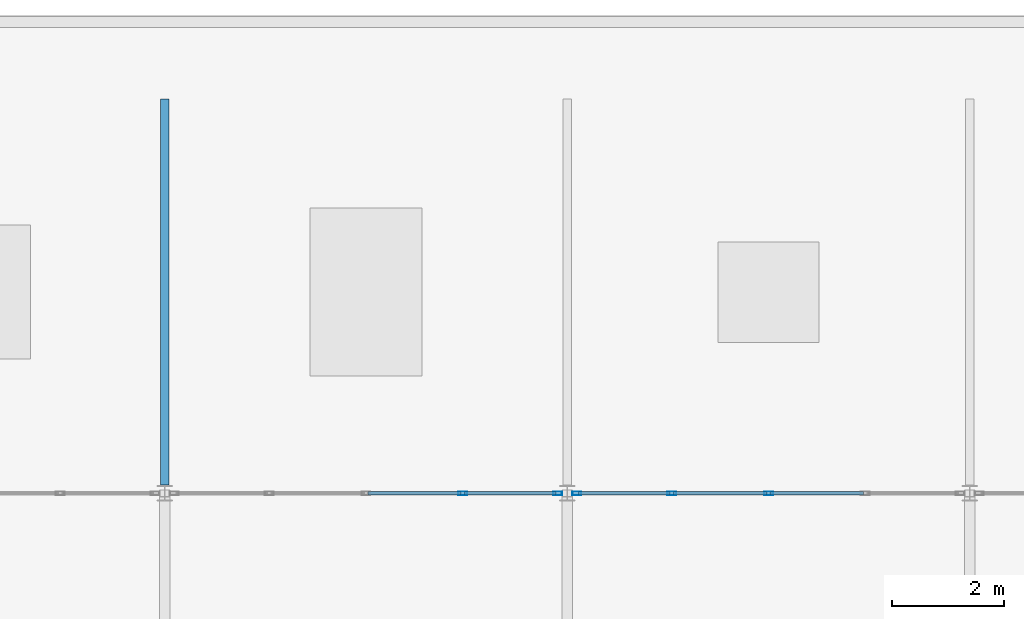
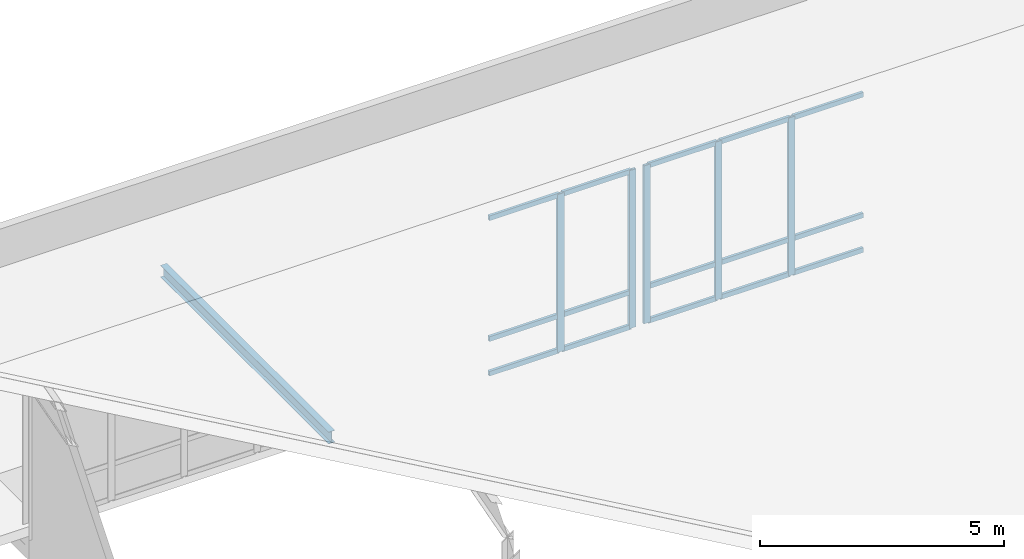
# One storey, part 83 of 157: 20 members, 1 beam, 2 elements without a shape of their own.
"""IFC4 building model written with IfcOpenShell, lengths in metres."""

from ifc_helpers import new_model, si_unit, direction, frame, origin, origin_2d, place, context, subcontext, project, spatial, hollow_rectangle, i_section, extrude, material, material_profile, profile_set, type_object, element, aggregate, save


model = new_model("IFC4")

# Units and contexts
model_context = context("Model", 3, precision=1e-05, world=origin(), true_north=direction((0.0, 1.0)))
body_context = subcontext(model_context, "Body", "Model", "MODEL_VIEW")
ifc_project = project(units=[si_unit("LENGTHUNIT", "METRE"), si_unit("AREAUNIT", "SQUARE_METRE"), si_unit("VOLUMEUNIT", "CUBIC_METRE"), si_unit("PLANEANGLEUNIT", "RADIAN"), si_unit("MASSUNIT", "GRAM", prefix="KILO")], contexts=[model_context])

# Site, building, storey
site_placement = place(None, origin())
site = spatial("IfcSite", under=ifc_project, at=site_placement, CompositionType="ELEMENT")
building_placement = place(site_placement, origin())
building = spatial("IfcBuilding", under=site, at=building_placement, Name="Suanplinth Sawtooth Commons", CompositionType="ELEMENT")
storey_placement = place(building_placement, frame((0.0, 0.0, 9.0)))
storey = spatial("IfcBuildingStorey", under=building, at=storey_placement, Name="L02", CompositionType="ELEMENT", Elevation=9.0)

# Beam
ifc_material_1 = material(Name="Steel S355JR", Category="steel")
ifc_material_profile_1 = material_profile(ifc_material_1, i_section(OverallWidth=0.14990234375, OverallDepth=0.300048828125, WebThickness=0.007080078125, FlangeThickness=0.0107421875, at=origin_2d()), Name="IPE 300")
ifc_profile_set_1 = profile_set([ifc_material_profile_1], Name="Steel S355JR")
beam_type = type_object("IfcBeamType", Name="B-13", PredefinedType="BEAM", material=ifc_profile_set_1)
beam_placement = place(storey_placement, frame((136.800048828125, 64.949951171875, -0.14990234375), z_axis=(0.0, 1.0, 0.0), x_axis=(-1.0, 0.0, 0.0)))
element("IfcBeam", 1, at=beam_placement, inside=storey, type_object=beam_type, Name="BMY-L02-NURS-FLAT-19", PredefinedType="BEAM", context=body_context, shape_type="SweptSolid", body=[
    extrude(i_section(OverallWidth=0.14990234375, OverallDepth=0.300048828125, WebThickness=0.007080078125, FlangeThickness=0.0107421875, at=origin_2d()), origin(), (0.0, 0.0, 1.0), 6.900146484375),
])

# Curtain wall, members
ifc_material_2 = material(Name="Anodized aluminium and low-E glazing", Category="aluminium")
curtain_wall_type = type_object("IfcCurtainWallType", Name="CW-03", PredefinedType="USERDEFINED", material=ifc_material_2)
curtain_wall_1_placement = place(storey_placement, origin())
curtain_wall_1 = element("IfcCurtainWall", 2, at=curtain_wall_1_placement, inside=storey, type_object=curtain_wall_type, Name="Curtain Wall CW-NURS-CLER-19", ObjectType="CURTAIN WALL", PredefinedType="USERDEFINED")
ifc_material_3 = material(Name="Anodized aluminium 6063-T6", Category="aluminium")
ifc_material_profile_2 = material_profile(ifc_material_3, hollow_rectangle(XDim=0.06494140625, YDim=0.159912109375, WallThickness=0.00390625, at=origin_2d()), Name="ALU-MUL 65x160")
ifc_profile_set_2 = profile_set([ifc_material_profile_2], Name="Anodized aluminium 6063-T6")
member_type_1 = type_object("IfcMemberType", Name="M-13", PredefinedType="MULLION", material=ifc_profile_set_2)
member_1_placement = place(storey_placement, frame((142.1298828125, 64.800048828125, 0.239990234375), z_axis=(0.0, 0.0, 1.0), x_axis=(0.0, 1.0, 0.0)))
member_1 = element("IfcMember", 3, at=member_1_placement, type_object=member_type_1, Name="CW-03 mullion 4", PredefinedType="MULLION", context=body_context, shape_type="SweptSolid", body=[
    extrude(hollow_rectangle(XDim=0.06494140625, YDim=0.159912109375, WallThickness=0.00390625, at=origin_2d()), origin(), (0.0, 0.0, 1.0), 3.9599609375),
])
member_2_placement = place(storey_placement, frame((143.827392578125, 64.800048828125, 0.239990234375), z_axis=(0.0, 0.0, 1.0), x_axis=(0.0, 1.0, 0.0)))
member_2 = element("IfcMember", 4, at=member_2_placement, type_object=member_type_1, Name="CW-03 mullion 5", PredefinedType="MULLION", context=body_context, shape_type="SweptSolid", body=[
    extrude(hollow_rectangle(XDim=0.06494140625, YDim=0.159912109375, WallThickness=0.00390625, at=origin_2d()), origin(), (0.0, 0.0, 1.0), 3.9599609375),
])

curtain_wall_2_placement = place(storey_placement, origin())
curtain_wall_2 = element("IfcCurtainWall", 5, at=curtain_wall_2_placement, inside=storey, type_object=curtain_wall_type, Name="Curtain Wall CW-NURS-CLER-20", ObjectType="CURTAIN WALL", PredefinedType="USERDEFINED")
member_3_placement = place(storey_placement, frame((144.172607421875, 64.800048828125, 0.239990234375), z_axis=(0.0, 0.0, 1.0), x_axis=(0.0, 1.0, 0.0)))
member_3 = element("IfcMember", 6, at=member_3_placement, type_object=member_type_1, Name="CW-03 mullion 1", PredefinedType="MULLION", context=body_context, shape_type="SweptSolid", body=[
    extrude(hollow_rectangle(XDim=0.06494140625, YDim=0.159912109375, WallThickness=0.00390625, at=origin_2d()), origin(), (0.0, 0.0, 1.0), 3.9599609375),
])
member_4_placement = place(storey_placement, frame((145.8701171875, 64.800048828125, 0.239990234375), z_axis=(0.0, 0.0, 1.0), x_axis=(0.0, 1.0, 0.0)))
member_4 = element("IfcMember", 7, at=member_4_placement, type_object=member_type_1, Name="CW-03 mullion 2", PredefinedType="MULLION", context=body_context, shape_type="SweptSolid", body=[
    extrude(hollow_rectangle(XDim=0.06494140625, YDim=0.159912109375, WallThickness=0.00390625, at=origin_2d()), origin(), (0.0, 0.0, 1.0), 3.9599609375),
])
member_5_placement = place(storey_placement, frame((147.60009765625, 64.800048828125, 0.239990234375), z_axis=(0.0, 0.0, 1.0), x_axis=(0.0, 1.0, 0.0)))
member_5 = element("IfcMember", 8, at=member_5_placement, type_object=member_type_1, Name="CW-03 mullion 3", PredefinedType="MULLION", context=body_context, shape_type="SweptSolid", body=[
    extrude(hollow_rectangle(XDim=0.06494140625, YDim=0.159912109375, WallThickness=0.00390625, at=origin_2d()), origin(), (0.0, 0.0, 1.0), 3.9599609375),
])

# Member
ifc_material_profile_3 = material_profile(ifc_material_3, hollow_rectangle(XDim=0.06494140625, YDim=0.1201171875, WallThickness=0.00390625, at=origin_2d()), Name="ALU-TRN 65x120")
ifc_profile_set_3 = profile_set([ifc_material_profile_3], Name="Anodized aluminium 6063-T6")
member_type_2 = type_object("IfcMemberType", Name="M-15", PredefinedType="USERDEFINED", material=ifc_profile_set_3)
member_6_placement = place(storey_placement, frame((140.4326171875, 64.800048828125, 0.2724609375), z_axis=(1.0, 0.0, 0.0), x_axis=(0.0, 1.0, 0.0)))
member_6 = element("IfcMember", 9, at=member_6_placement, type_object=member_type_2, Name="CW-03 transom 3.1", ObjectType="TRANSOM", PredefinedType="USERDEFINED", context=body_context, shape_type="SweptSolid", body=[
    extrude(hollow_rectangle(XDim=0.06494140625, YDim=0.1201171875, WallThickness=0.00390625, at=origin_2d()), origin(), (0.0, 0.0, 1.0), 1.664794921875),
])

member_7_placement = place(storey_placement, frame((140.4326171875, 64.800048828125, 1.139892578125), z_axis=(1.0, 0.0, 0.0), x_axis=(0.0, 1.0, 0.0)))
member_7 = element("IfcMember", 10, at=member_7_placement, type_object=member_type_2, Name="CW-03 transom 3.2", ObjectType="TRANSOM", PredefinedType="USERDEFINED", context=body_context, shape_type="SweptSolid", body=[
    extrude(hollow_rectangle(XDim=0.06494140625, YDim=0.1201171875, WallThickness=0.00390625, at=origin_2d()), origin(), (0.0, 0.0, 1.0), 1.664794921875),
])

member_8_placement = place(storey_placement, frame((140.4326171875, 64.800048828125, 4.16748046875), z_axis=(1.0, 0.0, 0.0), x_axis=(0.0, 1.0, 0.0)))
member_8 = element("IfcMember", 11, at=member_8_placement, type_object=member_type_2, Name="CW-03 transom 3.3", ObjectType="TRANSOM", PredefinedType="USERDEFINED", context=body_context, shape_type="SweptSolid", body=[
    extrude(hollow_rectangle(XDim=0.06494140625, YDim=0.1201171875, WallThickness=0.00390625, at=origin_2d()), origin(), (0.0, 0.0, 1.0), 1.664794921875),
])

member_9_placement = place(storey_placement, frame((142.16259765625, 64.800048828125, 0.2724609375), z_axis=(1.0, 0.0, 0.0), x_axis=(0.0, 1.0, 0.0)))
member_9 = element("IfcMember", 12, at=member_9_placement, type_object=member_type_2, Name="CW-03 transom 4.1", ObjectType="TRANSOM", PredefinedType="USERDEFINED", context=body_context, shape_type="SweptSolid", body=[
    extrude(hollow_rectangle(XDim=0.06494140625, YDim=0.1201171875, WallThickness=0.00390625, at=origin_2d()), origin(), (0.0, 0.0, 1.0), 1.63232421875),
])

member_10_placement = place(storey_placement, frame((142.16259765625, 64.800048828125, 1.139892578125), z_axis=(1.0, 0.0, 0.0), x_axis=(0.0, 1.0, 0.0)))
member_10 = element("IfcMember", 13, at=member_10_placement, type_object=member_type_2, Name="CW-03 transom 4.2", ObjectType="TRANSOM", PredefinedType="USERDEFINED", context=body_context, shape_type="SweptSolid", body=[
    extrude(hollow_rectangle(XDim=0.06494140625, YDim=0.1201171875, WallThickness=0.00390625, at=origin_2d()), origin(), (0.0, 0.0, 1.0), 1.63232421875),
])

member_11_placement = place(storey_placement, frame((142.16259765625, 64.800048828125, 4.16748046875), z_axis=(1.0, 0.0, 0.0), x_axis=(0.0, 1.0, 0.0)))
member_11 = element("IfcMember", 14, at=member_11_placement, type_object=member_type_2, Name="CW-03 transom 4.3", ObjectType="TRANSOM", PredefinedType="USERDEFINED", context=body_context, shape_type="SweptSolid", body=[
    extrude(hollow_rectangle(XDim=0.06494140625, YDim=0.1201171875, WallThickness=0.00390625, at=origin_2d()), origin(), (0.0, 0.0, 1.0), 1.63232421875),
])

aggregate(curtain_wall_1, [member_1, member_2, member_6, member_7, member_8, member_9, member_10, member_11])

member_12_placement = place(storey_placement, frame((144.205078125, 64.800048828125, 0.2724609375), z_axis=(1.0, 0.0, 0.0), x_axis=(0.0, 1.0, 0.0)))
member_12 = element("IfcMember", 15, at=member_12_placement, type_object=member_type_2, Name="CW-03 transom 1.1", ObjectType="TRANSOM", PredefinedType="USERDEFINED", context=body_context, shape_type="SweptSolid", body=[
    extrude(hollow_rectangle(XDim=0.06494140625, YDim=0.1201171875, WallThickness=0.00390625, at=origin_2d()), origin(), (0.0, 0.0, 1.0), 1.63232421875),
])

member_13_placement = place(storey_placement, frame((144.205078125, 64.800048828125, 1.139892578125), z_axis=(1.0, 0.0, 0.0), x_axis=(0.0, 1.0, 0.0)))
member_13 = element("IfcMember", 16, at=member_13_placement, type_object=member_type_2, Name="CW-03 transom 1.2", ObjectType="TRANSOM", PredefinedType="USERDEFINED", context=body_context, shape_type="SweptSolid", body=[
    extrude(hollow_rectangle(XDim=0.06494140625, YDim=0.1201171875, WallThickness=0.00390625, at=origin_2d()), origin(), (0.0, 0.0, 1.0), 1.63232421875),
])

member_14_placement = place(storey_placement, frame((144.205078125, 64.800048828125, 4.16748046875), z_axis=(1.0, 0.0, 0.0), x_axis=(0.0, 1.0, 0.0)))
member_14 = element("IfcMember", 17, at=member_14_placement, type_object=member_type_2, Name="CW-03 transom 1.3", ObjectType="TRANSOM", PredefinedType="USERDEFINED", context=body_context, shape_type="SweptSolid", body=[
    extrude(hollow_rectangle(XDim=0.06494140625, YDim=0.1201171875, WallThickness=0.00390625, at=origin_2d()), origin(), (0.0, 0.0, 1.0), 1.63232421875),
])

member_15_placement = place(storey_placement, frame((145.902587890625, 64.800048828125, 0.2724609375), z_axis=(1.0, 0.0, 0.0), x_axis=(0.0, 1.0, 0.0)))
member_15 = element("IfcMember", 18, at=member_15_placement, type_object=member_type_2, Name="CW-03 transom 2.1", ObjectType="TRANSOM", PredefinedType="USERDEFINED", context=body_context, shape_type="SweptSolid", body=[
    extrude(hollow_rectangle(XDim=0.06494140625, YDim=0.1201171875, WallThickness=0.00390625, at=origin_2d()), origin(), (0.0, 0.0, 1.0), 1.664794921875),
])

member_16_placement = place(storey_placement, frame((145.902587890625, 64.800048828125, 1.139892578125), z_axis=(1.0, 0.0, 0.0), x_axis=(0.0, 1.0, 0.0)))
member_16 = element("IfcMember", 19, at=member_16_placement, type_object=member_type_2, Name="CW-03 transom 2.2", ObjectType="TRANSOM", PredefinedType="USERDEFINED", context=body_context, shape_type="SweptSolid", body=[
    extrude(hollow_rectangle(XDim=0.06494140625, YDim=0.1201171875, WallThickness=0.00390625, at=origin_2d()), origin(), (0.0, 0.0, 1.0), 1.664794921875),
])

member_17_placement = place(storey_placement, frame((145.902587890625, 64.800048828125, 4.16748046875), z_axis=(1.0, 0.0, 0.0), x_axis=(0.0, 1.0, 0.0)))
member_17 = element("IfcMember", 20, at=member_17_placement, type_object=member_type_2, Name="CW-03 transom 2.3", ObjectType="TRANSOM", PredefinedType="USERDEFINED", context=body_context, shape_type="SweptSolid", body=[
    extrude(hollow_rectangle(XDim=0.06494140625, YDim=0.1201171875, WallThickness=0.00390625, at=origin_2d()), origin(), (0.0, 0.0, 1.0), 1.664794921875),
])

member_18_placement = place(storey_placement, frame((147.632568359375, 64.800048828125, 0.2724609375), z_axis=(1.0, 0.0, 0.0), x_axis=(0.0, 1.0, 0.0)))
member_18 = element("IfcMember", 21, at=member_18_placement, type_object=member_type_2, Name="CW-03 transom 3.1", ObjectType="TRANSOM", PredefinedType="USERDEFINED", context=body_context, shape_type="SweptSolid", body=[
    extrude(hollow_rectangle(XDim=0.06494140625, YDim=0.1201171875, WallThickness=0.00390625, at=origin_2d()), origin(), (0.0, 0.0, 1.0), 1.6650390625),
])

member_19_placement = place(storey_placement, frame((147.632568359375, 64.800048828125, 1.139892578125), z_axis=(1.0, 0.0, 0.0), x_axis=(0.0, 1.0, 0.0)))
member_19 = element("IfcMember", 22, at=member_19_placement, type_object=member_type_2, Name="CW-03 transom 3.2", ObjectType="TRANSOM", PredefinedType="USERDEFINED", context=body_context, shape_type="SweptSolid", body=[
    extrude(hollow_rectangle(XDim=0.06494140625, YDim=0.1201171875, WallThickness=0.00390625, at=origin_2d()), origin(), (0.0, 0.0, 1.0), 1.6650390625),
])

member_20_placement = place(storey_placement, frame((147.632568359375, 64.800048828125, 4.16748046875), z_axis=(1.0, 0.0, 0.0), x_axis=(0.0, 1.0, 0.0)))
member_20 = element("IfcMember", 23, at=member_20_placement, type_object=member_type_2, Name="CW-03 transom 3.3", ObjectType="TRANSOM", PredefinedType="USERDEFINED", context=body_context, shape_type="SweptSolid", body=[
    extrude(hollow_rectangle(XDim=0.06494140625, YDim=0.1201171875, WallThickness=0.00390625, at=origin_2d()), origin(), (0.0, 0.0, 1.0), 1.6650390625),
])

aggregate(curtain_wall_2, [member_3, member_4, member_5, member_12, member_13, member_14, member_15, member_16, member_17, member_18, member_19, member_20])

save(model, "model.ifc")
